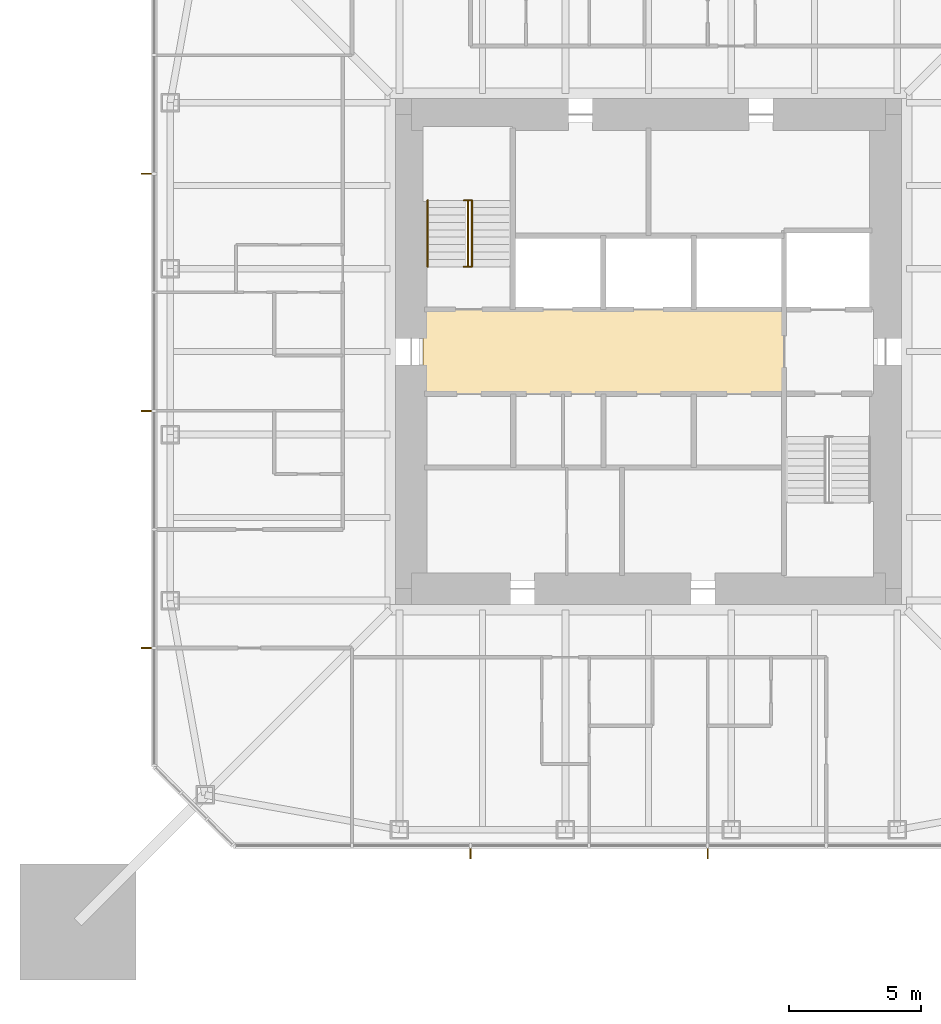
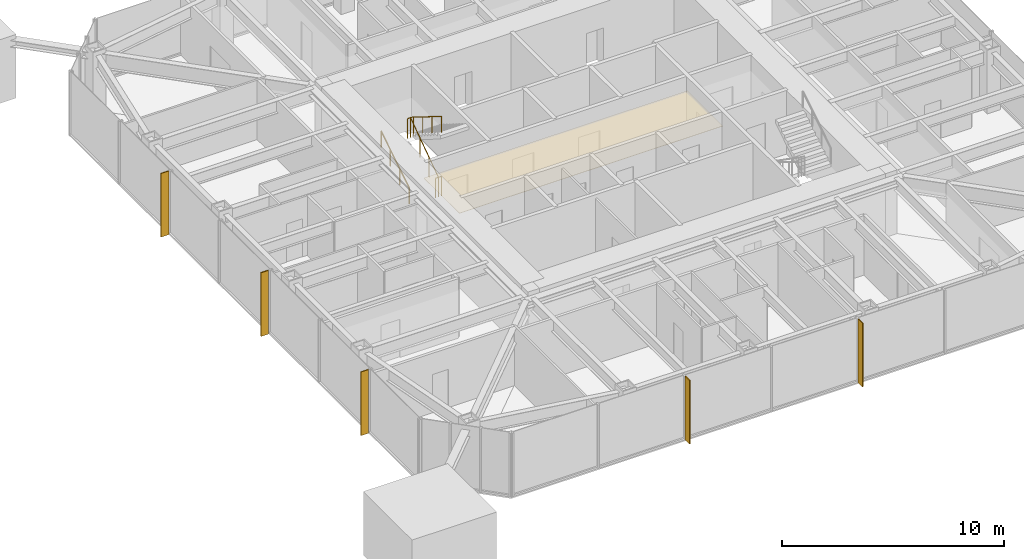
# One storey, part 9 of 11: 5 shading devices, 3 railings, 1 covering.
"""IFC4 building model written with IfcOpenShell, lengths in metres."""

from ifc_helpers import new_model, si_unit, direction, frame, origin, origin_2d, place, context, subcontext, project, spatial, polyline, rectangle, circle, outline, extrude, material, layer, layer_set, constituent, constituent_set, type_object, element, save


model = new_model("IFC4")

# Units and contexts
model_context = context("Model", 3, precision=1e-05, world=origin(), true_north=direction((0.0, 1.0)))
body_context = subcontext(model_context, "Body", "Model", "MODEL_VIEW")
ifc_project = project(units=[si_unit("LENGTHUNIT", "METRE"), si_unit("AREAUNIT", "SQUARE_METRE"), si_unit("VOLUMEUNIT", "CUBIC_METRE"), si_unit("PLANEANGLEUNIT", "RADIAN"), si_unit("MASSUNIT", "GRAM", prefix="KILO")], contexts=[model_context])

# Site, building, storey
site_placement = place(None, origin())
site = spatial("IfcSite", under=ifc_project, at=site_placement, CompositionType="ELEMENT")
building_placement = place(site_placement, origin())
building = spatial("IfcBuilding", under=site, at=building_placement, Name="Iwan Alto Co-Living Towers", CompositionType="ELEMENT")
storey_placement = place(building_placement, frame((0.0, 0.0, 163.5)))
storey = spatial("IfcBuildingStorey", under=building, at=storey_placement, Name="L44", CompositionType="ELEMENT", Elevation=163.5)

# Covering
ifc_material_1 = material(Name="Mineral fibre acoustic tiles on steel grid", Category="steel")
ifc_layer_1 = layer(ifc_material_1, 0.02001953125)
ifc_layer_set_1 = layer_set([ifc_layer_1], Name="ACOUSTIC TILE CEILING 20")
covering_type = type_object("IfcCoveringType", Name="ACOUSTIC TILE CEILING 20", PredefinedType="CEILING", material=ifc_layer_set_1)
covering_placement = place(storey_placement, frame((0.0, 0.0, 2.60009765625)))
element("IfcCovering", 1, at=covering_placement, inside=storey, type_object=covering_type, Name="Ceiling Lift lobby L44", PredefinedType="CEILING", context=body_context, shape_type="SweptSolid", body=[
    extrude(outline(polyline([(-8.550048828125, -1.60009765625), (-8.550048828125, 1.60009765625), (5.14990234375, 1.60009765625), (5.14990234375, -1.60009765625), (-8.550048828125, -1.60009765625)])), origin(), (0.0, 0.0, 1.0), 0.02001953125),
])

# Shading devices
ifc_material_2 = material(Name="Aluminium 6063-T6 bronze anodised", Category="aluminium")
ifc_layer_2 = layer(ifc_material_2, 0.050048828125)
ifc_layer_set_2 = layer_set([ifc_layer_2], Name="BRONZE FIN 50X400")
shading_device_type = type_object("IfcShadingDeviceType", Name="BRONZE FIN 50X400", PredefinedType="USERDEFINED", material=ifc_layer_set_2)
for number, where, z_axis, x_axis, name in (
    (2, (-6.75, -19.050048828125, 0.0), (0.0, 0.0, 1.0), (1.0, 0.0, 0.0), "Bronze fin L44"),
    (3, (2.25, -19.050048828125, 0.0), (0.0, 0.0, 1.0), (1.0, 0.0, 0.0), "Bronze fin L44"),
    (4, (-19.050048828125, 6.75, 0.0), (0.0, 0.0, 1.0), (0.0, -1.0, 0.0), "Bronze fin L44"),
    (5, (-19.050048828125, -2.25, 0.0), (0.0, 0.0, 1.0), (0.0, -1.0, 0.0), "Bronze fin L44"),
    (6, (-19.050048828125, -11.25, 0.0), (0.0, 0.0, 1.0), (0.0, -1.0, 0.0), "Bronze fin L44"),
):
    element("IfcShadingDevice", number, at=place(storey_placement, frame(where, z_axis=z_axis, x_axis=x_axis)), inside=storey, type_object=shading_device_type, Name=name, ObjectType="LOUVER", PredefinedType="USERDEFINED", context=body_context, shape_type="SweptSolid", body=[
        extrude(rectangle(XDim=0.050048828125, YDim=0.39990234375, at=origin_2d()), origin(), (0.0, 0.0, 1.0), 3.5),
    ])

# Railings
ifc_material_3 = material(Name="Steel ASTM A500 Gr C", Category="steel")
ifc_constituent_1 = constituent(ifc_material_3, Name="Rails and posts", Category="Framing")
ifc_material_4 = material(Name="Steel ASTM A36", Category="steel")
ifc_constituent_2 = constituent(ifc_material_4, Name="Bar infill", Category="Infill")
ifc_constituent_set = constituent_set(constituents=[ifc_constituent_1, ifc_constituent_2], Name="STAIR GUARD 1100")
railing_type_1 = type_object("IfcRailingType", Name="STAIR GUARD 1100", PredefinedType="GUARDRAIL", material=ifc_constituent_set)
railing_1_placement = place(storey_placement, frame((-6.85009765625, 3.219970703125, 0.0)))
element("IfcRailing", 7, at=railing_1_placement, inside=storey, type_object=railing_type_1, Name="Stair T1-S1 well guard L44", PredefinedType="GUARDRAIL", context=body_context, shape_type="SweptSolid", body=[
    extrude(circle(Radius=0.02392578125, at=origin_2d()), frame((0.0, 0.0, 1.076171875), z_axis=(0.0, 0.821372036852, 0.570392826987), x_axis=(-1.0, 0.0, 0.0)), (0.0, 0.0, 1.0), 3.068115234375),
    extrude(circle(Radius=0.02392578125, at=origin_2d()), frame((-0.14990234375, 0.0, 1.076171875), z_axis=(1.0, 0.0, 0.0), x_axis=(0.0, 1.0, 0.0)), (0.0, 0.0, 1.0), 0.300048828125),
    extrude(circle(Radius=0.02392578125, at=origin_2d()), frame((-0.14990234375, 2.52001953125, 2.826171875), z_axis=(1.0, 0.0, 0.0), x_axis=(0.0, 1.0, 0.0)), (0.0, 0.0, 1.0), 0.300048828125),
    extrude(circle(Radius=0.02099609375, at=origin_2d()), origin(), (0.0, 0.0, 1.0), 1.052001953125),
    extrude(circle(Radius=0.02099609375, at=origin_2d()), frame((0.0, 0.840087890625, 0.583251953125)), (0.0, 0.0, 1.0), 1.052001953125),
    extrude(circle(Radius=0.02099609375, at=origin_2d()), frame((0.0, 1.679931640625, 1.166748046875)), (0.0, 0.0, 1.0), 1.052001953125),
    extrude(circle(Radius=0.02099609375, at=origin_2d()), frame((0.0, 2.52001953125, 1.75)), (0.0, 0.0, 1.0), 1.052001953125),
    extrude(circle(Radius=0.02099609375, at=origin_2d()), frame((-0.14990234375, 0.0, 0.0)), (0.0, 0.0, 1.0), 1.052001953125),
    extrude(circle(Radius=0.02099609375, at=origin_2d()), frame((0.150146484375, 0.0, 0.0)), (0.0, 0.0, 1.0), 1.052001953125),
    extrude(circle(Radius=0.02099609375, at=origin_2d()), frame((-0.14990234375, 2.52001953125, 1.75)), (0.0, 0.0, 1.0), 1.052001953125),
    extrude(circle(Radius=0.02099609375, at=origin_2d()), frame((0.150146484375, 2.52001953125, 1.75)), (0.0, 0.0, 1.0), 1.052001953125),
])
ifc_material_5 = material(Name="Steel ASTM A500 Gr C", Category="steel")
railing_type_2 = type_object("IfcRailingType", Name="STAIR HANDRAIL 900", PredefinedType="HANDRAIL", material=ifc_material_5)
railing_2_placement = place(storey_placement, frame((-8.3798828125, 3.219970703125, 0.175048828125)))
element("IfcRailing", 8, at=railing_2_placement, inside=storey, type_object=railing_type_2, Name="Stair T1-S1 handrail 1 L44", PredefinedType="HANDRAIL", context=body_context, shape_type="SweptSolid", body=[
    extrude(circle(Radius=0.02392578125, at=origin_2d()), frame((0.0, 0.0, 0.8759765625), z_axis=(0.0, 0.848007534815, 0.529984170421), x_axis=(-1.0, 0.0, 0.0)), (0.0, 0.0, 1.0), 2.9716796875),
    extrude(circle(Radius=0.02099609375, at=origin_2d()), origin(), (0.0, 0.0, 1.0), 0.851806640625),
    extrude(circle(Radius=0.02099609375, at=origin_2d()), frame((0.0, 0.840087890625, 0.52490234375)), (0.0, 0.0, 1.0), 0.851806640625),
    extrude(circle(Radius=0.02099609375, at=origin_2d()), frame((0.0, 1.679931640625, 1.050048828125)), (0.0, 0.0, 1.0), 0.851806640625),
    extrude(circle(Radius=0.02099609375, at=origin_2d()), frame((0.0, 2.52001953125, 1.574951171875)), (0.0, 0.0, 1.0), 0.851806640625),
])
railing_3_placement = place(storey_placement, frame((-6.699951171875, 5.739990234375, 1.925048828125)))
element("IfcRailing", 9, at=railing_3_placement, inside=storey, type_object=railing_type_2, Name="Stair T1-S1 handrail 2 L44", PredefinedType="HANDRAIL", context=body_context, shape_type="SweptSolid", body=[
    extrude(circle(Radius=0.02392578125, at=origin_2d()), frame((0.0, 0.0, 0.8759765625), z_axis=(0.0, -0.848007534815, 0.529984170421), x_axis=(1.0, 0.0, 0.0)), (0.0, 0.0, 1.0), 2.9716796875),
    extrude(circle(Radius=0.02099609375, at=origin_2d()), origin(), (0.0, 0.0, 1.0), 0.851806640625),
    extrude(circle(Radius=0.02099609375, at=origin_2d()), frame((0.0, -0.840087890625, 0.52490234375)), (0.0, 0.0, 1.0), 0.851806640625),
    extrude(circle(Radius=0.02099609375, at=origin_2d()), frame((0.0, -1.679931640625, 1.050048828125)), (0.0, 0.0, 1.0), 0.851806640625),
    extrude(circle(Radius=0.02099609375, at=origin_2d()), frame((0.0, -2.52001953125, 1.574951171875)), (0.0, 0.0, 1.0), 0.851806640625),
])

save(model, "model.ifc")
